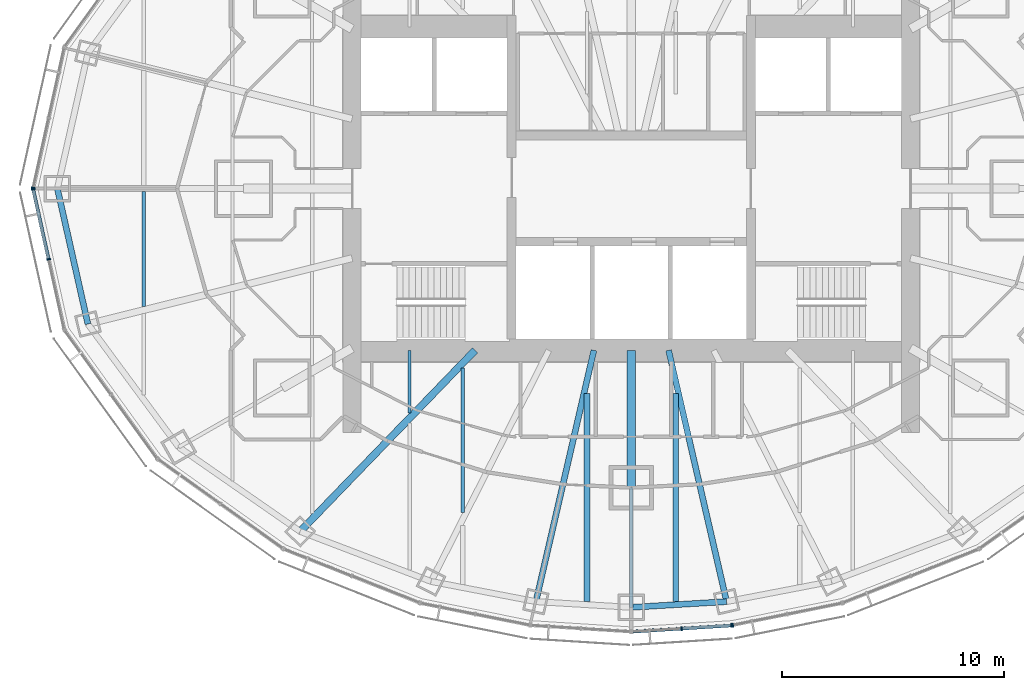
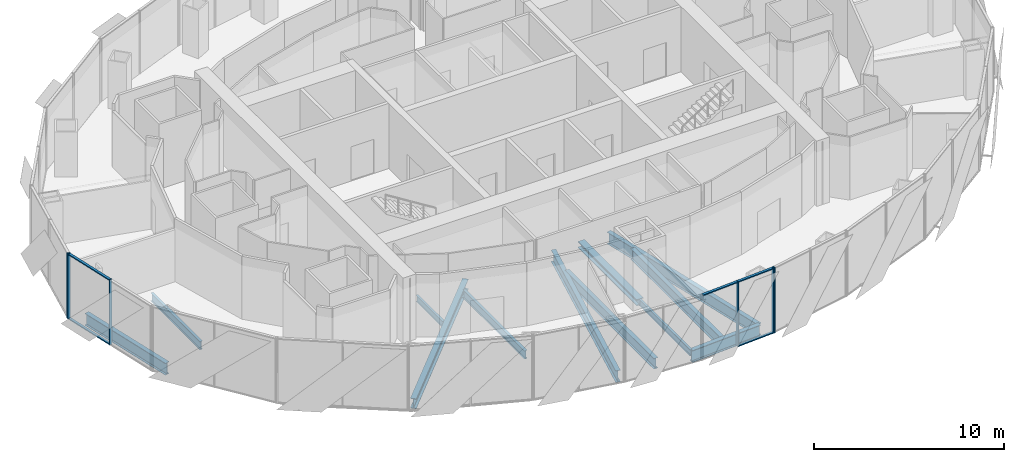
# One storey, part 3 of 18: 12 beams, 11 members, 4 elements without a shape of their own.
"""IFC4 building model written with IfcOpenShell, lengths in metres."""

from ifc_helpers import new_model, si_unit, direction, frame, origin, origin_2d, place, context, subcontext, project, spatial, rectangle, i_section, extrude, material, material_profile, profile_set, type_object, element, aggregate, save


model = new_model("IFC4")

# Units and contexts
model_context = context("Model", 3, precision=1e-05, world=origin(), true_north=direction((0.0, 1.0)))
body_context = subcontext(model_context, "Body", "Model", "MODEL_VIEW")
ifc_project = project(units=[si_unit("LENGTHUNIT", "METRE"), si_unit("AREAUNIT", "SQUARE_METRE"), si_unit("VOLUMEUNIT", "CUBIC_METRE"), si_unit("PLANEANGLEUNIT", "RADIAN"), si_unit("MASSUNIT", "GRAM", prefix="KILO")], contexts=[model_context])

# Site, building, storey
site_placement = place(None, origin())
site = spatial("IfcSite", under=ifc_project, at=site_placement, CompositionType="ELEMENT")
building_placement = place(site_placement, origin())
building = spatial("IfcBuilding", under=site, at=building_placement, Name="Lantaw Convention Tower", CompositionType="ELEMENT")
storey_placement = place(building_placement, frame((0.0, 0.0, 262.0)))
storey = spatial("IfcBuildingStorey", under=building, at=storey_placement, Name="L61", CompositionType="ELEMENT", Elevation=262.0)

# Beams
ifc_material_1 = material(Name="Steel ASTM A992", Category="steel")
ifc_material_profile_1 = material_profile(ifc_material_1, i_section(OverallWidth=0.2666015625, OverallDepth=0.76953125, WebThickness=0.015625, FlangeThickness=0.025390625, FilletRadius=0.0126953125, at=origin_2d()), Name="W30X132")
ifc_profile_set_1 = profile_set([ifc_material_profile_1], Name="Steel ASTM A992")
beam_type_1 = type_object("IfcBeamType", Name="Beam E W30X132", PredefinedType="SPANDREL", material=ifc_profile_set_1)
beam_1_placement = place(storey_placement, frame((-25.89990234375, 0.0, -0.534912109375), z_axis=(0.219857926596, -0.97553190215, 0.0), x_axis=(0.97553190215, 0.219857926596, 0.0)))
element("IfcBeam", 1, at=beam_1_placement, inside=storey, type_object=beam_type_1, Name="Edge beam 13", PredefinedType="SPANDREL", context=body_context, shape_type="SweptSolid", body=[
    extrude(i_section(OverallWidth=0.2666015625, OverallDepth=0.76953125, WebThickness=0.015625, FlangeThickness=0.025390625, FilletRadius=0.0126953125, at=origin_2d()), origin(), (0.0, 0.0, 1.0), 6.267333984375),
])
beam_2_placement = place(storey_placement, frame((0.0, -18.89990234375, -0.534912109375), z_axis=(0.998210730897, 0.059794119452, 0.0), x_axis=(-0.059794119452, 0.998210730897, 0.0)))
element("IfcBeam", 2, at=beam_2_placement, inside=storey, type_object=beam_type_1, Name="Edge beam 19", PredefinedType="SPANDREL", context=body_context, shape_type="SweptSolid", body=[
    extrude(i_section(OverallWidth=0.2666015625, OverallDepth=0.76953125, WebThickness=0.015625, FlangeThickness=0.025390625, FilletRadius=0.0126953125, at=origin_2d()), origin(), (0.0, 0.0, 1.0), 4.311767578125),
])
ifc_material_profile_2 = material_profile(ifc_material_1, i_section(OverallWidth=0.140380859375, OverallDepth=0.40380859375, WebThickness=0.007080078125, FlangeThickness=0.01123046875, FilletRadius=0.01025390625, at=origin_2d()), Name="W16X31")
ifc_profile_set_2 = profile_set([ifc_material_profile_2], Name="Steel ASTM A992")
beam_type_2 = type_object("IfcBeamType", Name="Beam G W16X31", PredefinedType="BEAM", material=ifc_profile_set_2)
beam_3_placement = place(storey_placement, frame((0.0, -13.5, -0.35205078125), z_axis=(0.0, -1.0, 0.0), x_axis=(1.0, 0.0, 0.0)))
element("IfcBeam", 3, at=beam_3_placement, inside=storey, type_object=beam_type_2, Name="Floor girder on ray 19", PredefinedType="BEAM", context=body_context, shape_type="SweptSolid", body=[
    extrude(i_section(OverallWidth=0.140380859375, OverallDepth=0.40380859375, WebThickness=0.007080078125, FlangeThickness=0.01123046875, FilletRadius=0.01025390625, at=origin_2d()), origin(), (0.0, 0.0, 1.0), 5.39990234375),
])
ifc_material_profile_3 = material_profile(ifc_material_1, i_section(OverallWidth=0.32763671875, OverallDepth=0.64013671875, WebThickness=0.01904296875, FlangeThickness=0.033935546875, FilletRadius=0.0126953125, at=origin_2d()), Name="W24X176")
ifc_profile_set_3 = profile_set([ifc_material_profile_3], Name="Steel ASTM A992")
beam_type_3 = type_object("IfcBeamType", Name="Beam G W24X176", PredefinedType="BEAM", material=ifc_profile_set_3)
beam_4_placement = place(storey_placement, frame((-7.049560546875, -7.300048828125, -0.469970703125), z_axis=(-0.694657766726, -0.719340383356, 0.0), x_axis=(0.719340383356, -0.694657766726, 0.0)))
element("IfcBeam", 4, at=beam_4_placement, inside=storey, type_object=beam_type_3, Name="Floor girder on ray 16", PredefinedType="BEAM", context=body_context, shape_type="SweptSolid", body=[
    extrude(i_section(OverallWidth=0.32763671875, OverallDepth=0.64013671875, WebThickness=0.01904296875, FlangeThickness=0.033935546875, FilletRadius=0.0126953125, at=origin_2d()), origin(), (0.0, 0.0, 1.0), 11.364990234375),
])
ifc_material_profile_4 = material_profile(ifc_material_1, i_section(OverallWidth=0.2666015625, OverallDepth=0.7568359375, WebThickness=0.013916015625, FlangeThickness=0.019287109375, FilletRadius=0.0126953125, at=origin_2d()), Name="W30X108")
ifc_profile_set_4 = profile_set([ifc_material_profile_4], Name="Steel ASTM A992")
beam_type_4 = type_object("IfcBeamType", Name="Beam G W30X108", PredefinedType="BEAM", material=ifc_profile_set_4)
for number, where, z_axis, x_axis, name in (
    (5, (-1.685302734375, -7.300048828125, -0.528564453125), (-0.224962134377, -0.974367506692, 0.0), (0.974367506692, -0.224962134377, 0.0), "Floor girder on ray 18"),
    (6, (1.685302734375, -7.300048828125, -0.528564453125), (0.224962134377, -0.974367506692, 0.0), (0.974367506692, 0.224962134377, 0.0), "Floor girder on ray 20"),
):
    element("IfcBeam", number, at=place(storey_placement, frame(where, z_axis=z_axis, x_axis=x_axis)), inside=storey, type_object=beam_type_4, Name=name, PredefinedType="BEAM", context=body_context, shape_type="SweptSolid", body=[
        extrude(i_section(OverallWidth=0.2666015625, OverallDepth=0.7568359375, WebThickness=0.013916015625, FlangeThickness=0.019287109375, FilletRadius=0.0126953125, at=origin_2d()), origin(), (0.0, 0.0, 1.0), 11.640380859375),
    ])
ifc_material_profile_5 = material_profile(ifc_material_1, i_section(OverallWidth=0.40380859375, OverallDepth=0.406494140625, WebThickness=0.027099609375, FlangeThickness=0.043701171875, FilletRadius=0.01513671875, at=origin_2d()), Name="W14X233")
ifc_profile_set_5 = profile_set([ifc_material_profile_5], Name="Steel ASTM A992")
beam_type_5 = type_object("IfcBeamType", Name="Beam GM W14X233", PredefinedType="BEAM", material=ifc_profile_set_5)
beam_5_placement = place(storey_placement, frame((0.0, -7.300048828125, -0.353271484375), z_axis=(0.0, -1.0, 0.0), x_axis=(1.0, 0.0, 0.0)))
element("IfcBeam", 7, at=beam_5_placement, inside=storey, type_object=beam_type_5, Name="Core link beam on ray 19", PredefinedType="BEAM", context=body_context, shape_type="SweptSolid", body=[
    extrude(i_section(OverallWidth=0.40380859375, OverallDepth=0.406494140625, WebThickness=0.027099609375, FlangeThickness=0.043701171875, FilletRadius=0.01513671875, at=origin_2d()), origin(), (0.0, 0.0, 1.0), 6.199951171875),
])
ifc_material_profile_6 = material_profile(ifc_material_1, i_section(OverallWidth=0.140380859375, OverallDepth=0.40380859375, WebThickness=0.007080078125, FlangeThickness=0.01123046875, FilletRadius=0.01025390625, at=origin_2d()), Name="W16X31")
ifc_profile_set_6 = profile_set([ifc_material_profile_6], Name="Steel ASTM A992")
beam_type_6 = type_object("IfcBeamType", Name="Beam J W16X31", PredefinedType="JOIST", material=ifc_profile_set_6)
beam_6_placement = place(storey_placement, frame((-10.0, -10.119384765625, -0.35205078125), z_axis=(0.0, 1.0, 0.0), x_axis=(-1.0, 0.0, 0.0)))
element("IfcBeam", 8, at=beam_6_placement, inside=storey, type_object=beam_type_6, Name="Floor joist", PredefinedType="JOIST", context=body_context, shape_type="SweptSolid", body=[
    extrude(i_section(OverallWidth=0.140380859375, OverallDepth=0.40380859375, WebThickness=0.007080078125, FlangeThickness=0.01123046875, FilletRadius=0.01025390625, at=origin_2d()), origin(), (0.0, 0.0, 1.0), 2.8193359375),
])
ifc_material_profile_7 = material_profile(ifc_material_1, i_section(OverallWidth=0.1650390625, OverallDepth=0.52587890625, WebThickness=0.0087890625, FlangeThickness=0.011474609375, FilletRadius=0.0126953125, at=origin_2d()), Name="W21X44")
ifc_profile_set_7 = profile_set([ifc_material_profile_7], Name="Steel ASTM A992")
beam_type_7 = type_object("IfcBeamType", Name="Beam J W21X44", PredefinedType="JOIST", material=ifc_profile_set_7)
beam_7_placement = place(storey_placement, frame((-22.0, -5.326904296875, -0.412841796875), z_axis=(0.0, 1.0, 0.0), x_axis=(-1.0, 0.0, 0.0)))
element("IfcBeam", 9, at=beam_7_placement, inside=storey, type_object=beam_type_7, Name="Floor joist", PredefinedType="JOIST", context=body_context, shape_type="SweptSolid", body=[
    extrude(i_section(OverallWidth=0.1650390625, OverallDepth=0.52587890625, WebThickness=0.0087890625, FlangeThickness=0.011474609375, FilletRadius=0.0126953125, at=origin_2d()), origin(), (0.0, 0.0, 1.0), 5.199951171875),
])
beam_8_placement = place(storey_placement, frame((-7.60009765625, -14.6220703125, -0.412841796875), z_axis=(0.0, 1.0, 0.0), x_axis=(-1.0, 0.0, 0.0)))
element("IfcBeam", 10, at=beam_8_placement, inside=storey, type_object=beam_type_7, Name="Floor joist", PredefinedType="JOIST", context=body_context, shape_type="SweptSolid", body=[
    extrude(i_section(OverallWidth=0.1650390625, OverallDepth=0.52587890625, WebThickness=0.0087890625, FlangeThickness=0.011474609375, FilletRadius=0.0126953125, at=origin_2d()), origin(), (0.0, 0.0, 1.0), 6.51611328125),
])
ifc_material_profile_8 = material_profile(ifc_material_1, i_section(OverallWidth=0.25390625, OverallDepth=0.683349609375, WebThickness=0.012451171875, FlangeThickness=0.01904296875, FilletRadius=0.01513671875, at=origin_2d()), Name="W27X94")
ifc_profile_set_8 = profile_set([ifc_material_profile_8], Name="Steel ASTM A992")
beam_type_8 = type_object("IfcBeamType", Name="Beam J W27X94", PredefinedType="JOIST", material=ifc_profile_set_8)
for number, where, z_axis, x_axis, name in (
    (11, (-2.0, -18.646484375, -0.49169921875), (0.0, 1.0, 0.0), (-1.0, 0.0, 0.0), "Floor joist"),
    (12, (2.0, -18.646484375, -0.49169921875), (0.0, 1.0, 0.0), (-1.0, 0.0, 0.0), "Floor joist"),
):
    element("IfcBeam", number, at=place(storey_placement, frame(where, z_axis=z_axis, x_axis=x_axis)), inside=storey, type_object=beam_type_8, Name=name, PredefinedType="JOIST", context=body_context, shape_type="SweptSolid", body=[
        extrude(i_section(OverallWidth=0.25390625, OverallDepth=0.683349609375, WebThickness=0.012451171875, FlangeThickness=0.01904296875, FilletRadius=0.01513671875, at=origin_2d()), origin(), (0.0, 0.0, 1.0), 9.390625),
    ])

# Curtain wall, member
ifc_material_2 = material(Name="Aluminium framed curtain wall", Category="aluminium")
curtain_wall_type = type_object("IfcCurtainWallType", Name="Office curtain wall high rise, pale aluminium", PredefinedType="USERDEFINED", material=ifc_material_2)
curtain_wall_1_placement = place(storey_placement, origin())
curtain_wall_1 = element("IfcCurtainWall", 13, at=curtain_wall_1_placement, inside=storey, type_object=curtain_wall_type, Name="Office curtain wall high rise, pale aluminium L61", ObjectType="UNITISED CURTAIN WALL", PredefinedType="USERDEFINED")
ifc_material_3 = material(Name="Aluminium 6063-T6", Category="aluminium")
ifc_material_profile_9 = material_profile(ifc_material_3, rectangle(XDim=0.179931640625, YDim=0.06494140625, at=origin_2d()), Name="CW-O2 mullion 65x180")
ifc_profile_set_9 = profile_set([ifc_material_profile_9], Name="Aluminium 6063-T6")
member_type_1 = type_object("IfcMemberType", Name="CW-O2 mullion 65x180", PredefinedType="MULLION", material=ifc_profile_set_9)
member_1_placement = place(storey_placement, frame((-26.992919921875, 0.03173828125, -0.14990234375), z_axis=(0.0, 0.0, 1.0), x_axis=(0.976417396437, -0.215891333626, 0.0)))
member_1 = element("IfcMember", 14, at=member_1_placement, type_object=member_type_1, Name="CW-O2 mullion 3", PredefinedType="MULLION", context=body_context, shape_type="SweptSolid", body=[
    extrude(rectangle(XDim=0.179931640625, YDim=0.06494140625, at=origin_2d()), origin(), (0.0, 0.0, 1.0), 4.199951171875),
])
aggregate(curtain_wall_1, [member_1])

# Curtain wall, members
curtain_wall_2_placement = place(storey_placement, origin())
curtain_wall_2 = element("IfcCurtainWall", 15, at=curtain_wall_2_placement, inside=storey, type_object=curtain_wall_type, Name="Office curtain wall high rise, pale aluminium L61", ObjectType="UNITISED CURTAIN WALL", PredefinedType="USERDEFINED")
member_2_placement = place(storey_placement, frame((-26.992919921875, -0.03173828125, -0.14990234375), z_axis=(0.0, 0.0, 1.0), x_axis=(0.976417396437, 0.215891333626, 0.0)))
member_2 = element("IfcMember", 16, at=member_2_placement, type_object=member_type_1, Name="CW-O2 mullion 1", PredefinedType="MULLION", context=body_context, shape_type="SweptSolid", body=[
    extrude(rectangle(XDim=0.179931640625, YDim=0.06494140625, at=origin_2d()), origin(), (0.0, 0.0, 1.0), 4.199951171875),
])
member_3_placement = place(storey_placement, frame((-26.294677734375, -3.190185546875, -0.14990234375), z_axis=(0.0, 0.0, 1.0), x_axis=(0.976417396437, 0.215891333626, 0.0)))
member_3 = element("IfcMember", 17, at=member_3_placement, type_object=member_type_1, Name="CW-O2 mullion 2", PredefinedType="MULLION", context=body_context, shape_type="SweptSolid", body=[
    extrude(rectangle(XDim=0.179931640625, YDim=0.06494140625, at=origin_2d()), origin(), (0.0, 0.0, 1.0), 4.199951171875),
])

curtain_wall_3_placement = place(storey_placement, origin())
curtain_wall_3 = element("IfcCurtainWall", 18, at=curtain_wall_3_placement, inside=storey, type_object=curtain_wall_type, Name="Office curtain wall high rise, pale aluminium L61", ObjectType="UNITISED CURTAIN WALL", PredefinedType="USERDEFINED")
member_4_placement = place(storey_placement, frame((2.275634765625, -19.85693359375, -0.14990234375), z_axis=(0.0, 0.0, 1.0), x_axis=(-0.062757983884, 0.998028774865, 0.0)))
member_4 = element("IfcMember", 19, at=member_4_placement, type_object=member_type_1, Name="CW-O2 mullion 2", PredefinedType="MULLION", context=body_context, shape_type="SweptSolid", body=[
    extrude(rectangle(XDim=0.179931640625, YDim=0.06494140625, at=origin_2d()), origin(), (0.0, 0.0, 1.0), 4.199951171875),
])
member_5_placement = place(storey_placement, frame((4.518798828125, -19.7158203125, -0.14990234375), z_axis=(0.0, 0.0, 1.0), x_axis=(-0.062757983884, 0.998028774865, 0.0)))
member_5 = element("IfcMember", 20, at=member_5_placement, type_object=member_type_1, Name="CW-O2 mullion 3", PredefinedType="MULLION", context=body_context, shape_type="SweptSolid", body=[
    extrude(rectangle(XDim=0.179931640625, YDim=0.06494140625, at=origin_2d()), origin(), (0.0, 0.0, 1.0), 4.199951171875),
])

# Curtain wall, member
curtain_wall_4_placement = place(storey_placement, origin())
curtain_wall_4 = element("IfcCurtainWall", 21, at=curtain_wall_4_placement, inside=storey, type_object=curtain_wall_type, Name="Office curtain wall high rise, pale aluminium L61", ObjectType="UNITISED CURTAIN WALL", PredefinedType="USERDEFINED")
member_6_placement = place(storey_placement, frame((4.583251953125, -19.70751953125, -0.14990234375), z_axis=(0.0, 0.0, 1.0), x_axis=(-0.197183095987, 0.980366679695, 0.0)))
member_6 = element("IfcMember", 22, at=member_6_placement, type_object=member_type_1, Name="CW-O2 mullion 1", PredefinedType="MULLION", context=body_context, shape_type="SweptSolid", body=[
    extrude(rectangle(XDim=0.179931640625, YDim=0.06494140625, at=origin_2d()), origin(), (0.0, 0.0, 1.0), 4.199951171875),
])
aggregate(curtain_wall_4, [member_6])

# Member
ifc_material_profile_10 = material_profile(ifc_material_3, rectangle(XDim=0.14990234375, YDim=0.06494140625, at=origin_2d()), Name="CW-O2 transom 65x150")
ifc_profile_set_10 = profile_set([ifc_material_profile_10], Name="Aluminium 6063-T6")
member_type_2 = type_object("IfcMemberType", Name="CW-O2 transom 65x150", PredefinedType="USERDEFINED", material=ifc_profile_set_10)
member_7_placement = place(storey_placement, frame((-26.986083984375, -0.0634765625, -0.117431640625), z_axis=(0.215894607042, -0.976416672661, 0.0), x_axis=(0.976416672661, 0.215894607042, 0.0)))
member_7 = element("IfcMember", 23, at=member_7_placement, type_object=member_type_2, Name="CW-O2 transom 1.1", ObjectType="TRANSOM", PredefinedType="USERDEFINED", context=body_context, shape_type="SweptSolid", body=[
    extrude(rectangle(XDim=0.14990234375, YDim=0.06494140625, at=origin_2d()), origin(), (0.0, 0.0, 1.0), 3.169677734375),
])

member_8_placement = place(storey_placement, frame((-26.986083984375, -0.0634765625, 4.017578125), z_axis=(0.215894607042, -0.976416672661, 0.0), x_axis=(0.976416672661, 0.215894607042, 0.0)))
member_8 = element("IfcMember", 24, at=member_8_placement, type_object=member_type_2, Name="CW-O2 transom 1.2", ObjectType="TRANSOM", PredefinedType="USERDEFINED", context=body_context, shape_type="SweptSolid", body=[
    extrude(rectangle(XDim=0.14990234375, YDim=0.06494140625, at=origin_2d()), origin(), (0.0, 0.0, 1.0), 3.169677734375),
])

aggregate(curtain_wall_2, [member_2, member_3, member_7, member_8])

member_9_placement = place(storey_placement, frame((0.06494140625, -19.995849609375, 4.017578125), z_axis=(0.998029003644, 0.062754345555, 0.0), x_axis=(-0.062754345555, 0.998029003644, 0.0)))
member_9 = element("IfcMember", 25, at=member_9_placement, type_object=member_type_2, Name="CW-O2 transom 1.2", ObjectType="TRANSOM", PredefinedType="USERDEFINED", context=body_context, shape_type="SweptSolid", body=[
    extrude(rectangle(XDim=0.14990234375, YDim=0.06494140625, at=origin_2d()), origin(), (0.0, 0.0, 1.0), 2.1826171875),
])

member_10_placement = place(storey_placement, frame((2.30810546875, -19.85498046875, -0.117431640625), z_axis=(0.998021991509, 0.062865765437, 0.0), x_axis=(-0.062865765437, 0.998021991509, 0.0)))
member_10 = element("IfcMember", 26, at=member_10_placement, type_object=member_type_2, Name="CW-O2 transom 2.1", ObjectType="TRANSOM", PredefinedType="USERDEFINED", context=body_context, shape_type="SweptSolid", body=[
    extrude(rectangle(XDim=0.14990234375, YDim=0.06494140625, at=origin_2d()), origin(), (0.0, 0.0, 1.0), 2.1826171875),
])

member_11_placement = place(storey_placement, frame((2.30810546875, -19.85498046875, 4.017578125), z_axis=(0.998021991509, 0.062865765437, 0.0), x_axis=(-0.062865765437, 0.998021991509, 0.0)))
member_11 = element("IfcMember", 27, at=member_11_placement, type_object=member_type_2, Name="CW-O2 transom 2.2", ObjectType="TRANSOM", PredefinedType="USERDEFINED", context=body_context, shape_type="SweptSolid", body=[
    extrude(rectangle(XDim=0.14990234375, YDim=0.06494140625, at=origin_2d()), origin(), (0.0, 0.0, 1.0), 2.1826171875),
])

aggregate(curtain_wall_3, [member_4, member_5, member_9, member_10, member_11])

save(model, "model.ifc")
